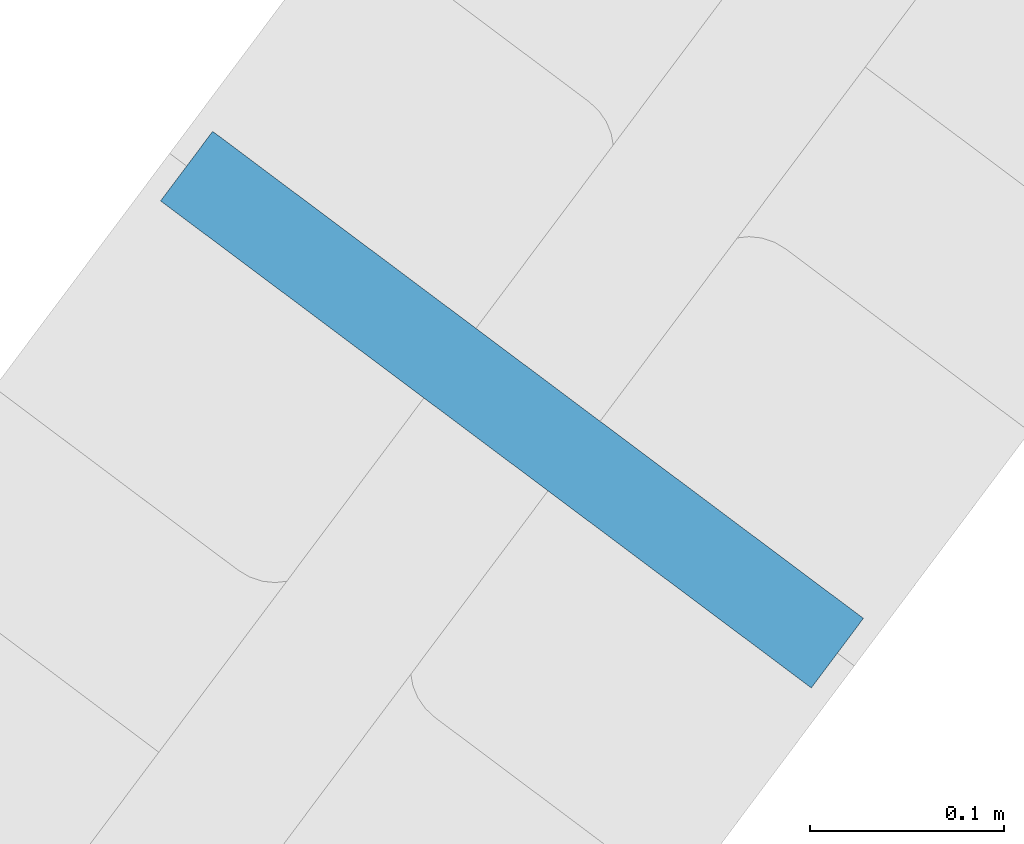
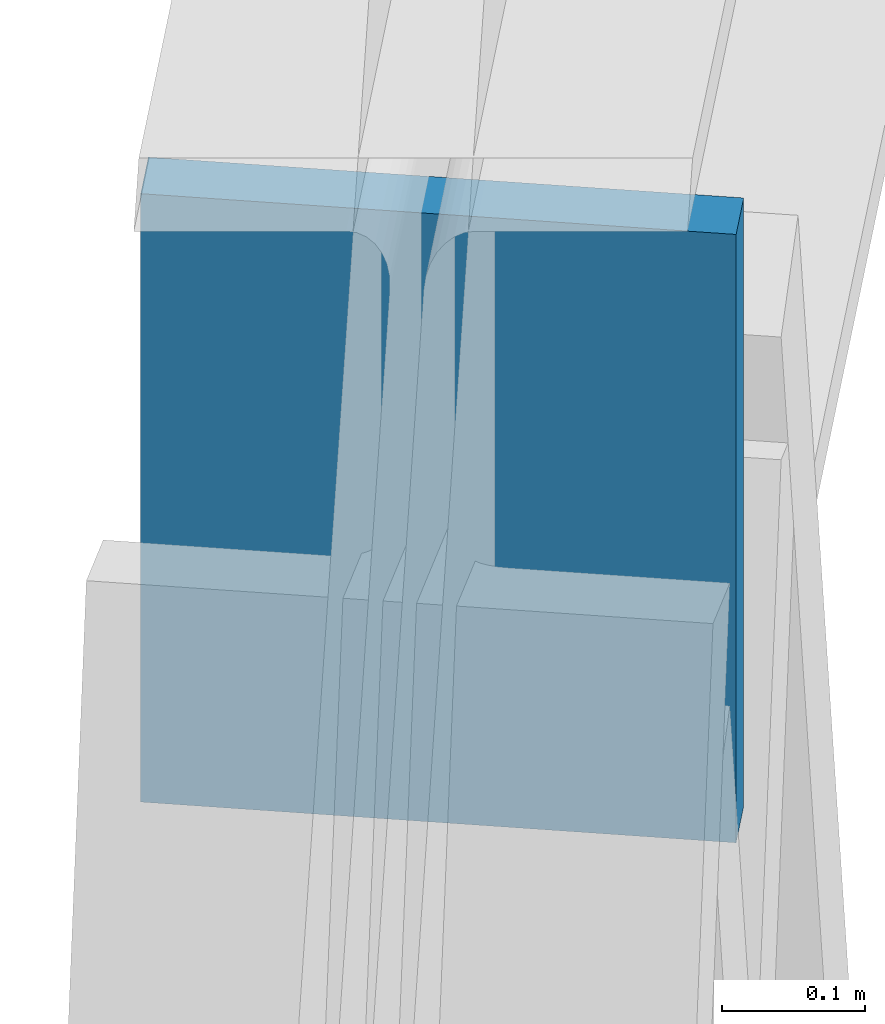
# One storey, part 14 of 23: 1 plate.
"""IFC4 building model written with IfcOpenShell, lengths in metres."""

from ifc_helpers import new_model, si_unit, direction, frame, origin, origin_2d, place, context, subcontext, project, spatial, rectangle, extrude, source, transform, mapped, material, layer, layer_set, type_object, type_shapes, element, save


model = new_model("IFC4")

# Units and contexts
model_context = context("Model", 3, precision=1e-05, world=origin(), true_north=direction((0.0, 1.0)))
body_context = subcontext(model_context, "Body", "Model", "MODEL_VIEW")
ifc_project = project(units=[si_unit("LENGTHUNIT", "METRE"), si_unit("AREAUNIT", "SQUARE_METRE"), si_unit("VOLUMEUNIT", "CUBIC_METRE"), si_unit("PLANEANGLEUNIT", "RADIAN"), si_unit("MASSUNIT", "GRAM", prefix="KILO")], contexts=[model_context])

# Site, building, storey
site_placement = place(None, origin())
site = spatial("IfcSite", under=ifc_project, at=site_placement, CompositionType="ELEMENT")
building_placement = place(site_placement, origin())
building = spatial("IfcBuilding", under=site, at=building_placement, Name="Durnholm Broadcast Tower", CompositionType="ELEMENT")
storey_placement = place(building_placement, frame((0.0, 0.0, 21.199951171875)))
storey = spatial("IfcBuildingStorey", under=building, at=storey_placement, Name="L04", CompositionType="ELEMENT", Elevation=21.199951171875)

# Plate
ifc_material = material(Name="Steel ASTM A572 Grade 50", Category="steel")
ifc_layer = layer(ifc_material, 0.044921875)
ifc_layer_set = layer_set([ifc_layer], Name="Steel ASTM A572 Grade 50")
plate_type = type_object("IfcPlateType", Name="PLT-KN-STIF", PredefinedType="SHEET", material=ifc_layer_set)
shared_shape = source(origin(), body_context, "Body", "SweptSolid", [
    extrude(rectangle(XDim=0.044921875, YDim=0.419921875, at=origin_2d()), origin(), (0.0, 0.0, 1.0), 0.52001953125),
])
type_shapes(plate_type, [shared_shape])
plate_placement = place(storey_placement, frame((21.298095703125, -17.787109375, 4.2685546875), z_axis=(0.0, 0.0, 1.0), x_axis=(0.59916334338, 0.800626809413, 0.0)))
element("IfcPlate", 1, at=plate_placement, inside=storey, type_object=plate_type, Name="L04 welded diagrid node stiffener plate F2", PredefinedType="SHEET", context=body_context, shape_type="MappedRepresentation", body=[
    mapped(shared_shape, transform((0.0, 0.0, 0.0), x_axis=(1.0, 0.0, 0.0), y_axis=(0.0, 1.0, 0.0), z_axis=(0.0, 0.0, 1.0), scale=1.0)),
])

save(model, "model.ifc")
